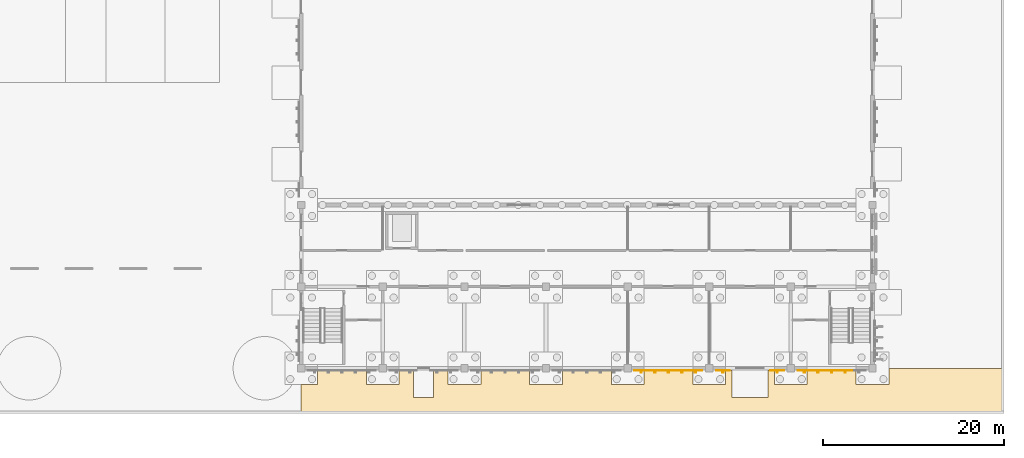
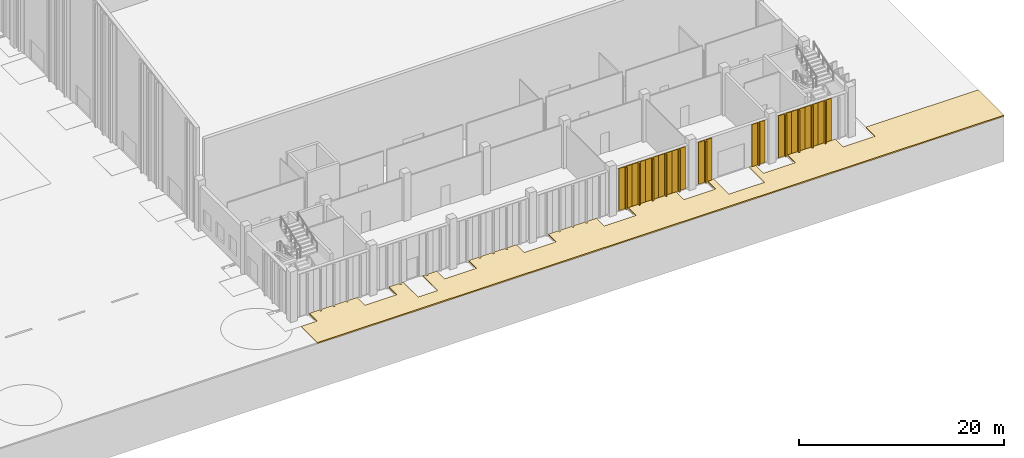
# One storey, part 179 of 198: 12 coverings.
"""IFC4 building model written with IfcOpenShell, lengths in metres."""

from ifc_helpers import new_model, si_unit, direction, frame, origin, place, context, subcontext, project, spatial, polyline, outline, extrude, material, layer, layer_set, type_object, element, save


model = new_model("IFC4")

# Units and contexts
model_context = context("Model", 3, precision=1e-05, world=origin(), true_north=direction((0.0, 1.0)))
body_context = subcontext(model_context, "Body", "Model", "MODEL_VIEW")
ifc_project = project(units=[si_unit("LENGTHUNIT", "METRE"), si_unit("AREAUNIT", "SQUARE_METRE"), si_unit("VOLUMEUNIT", "CUBIC_METRE"), si_unit("PLANEANGLEUNIT", "RADIAN"), si_unit("MASSUNIT", "GRAM", prefix="KILO")], contexts=[model_context])

# Site, building, storey
site_placement = place(None, origin())
site = spatial("IfcSite", under=ifc_project, at=site_placement, CompositionType="ELEMENT")
building_placement = place(site_placement, origin())
building = spatial("IfcBuilding", under=site, at=building_placement, Name="Opaline Strait Convention Centre", CompositionType="ELEMENT")
storey_placement = place(building_placement, origin())
storey = spatial("IfcBuildingStorey", under=building, at=storey_placement, Name="L00", CompositionType="ELEMENT", Elevation=0.0)

# Coverings
ifc_material_1 = material(Name="Concrete C40 precast white", Category="concrete")
ifc_layer_1 = layer(ifc_material_1, 0.300048828125)
ifc_layer_set_1 = layer_set([ifc_layer_1], Name="Concrete C40 precast white")
covering_type_1 = type_object("IfcCoveringType", Name="Ribbed precast panel white 1500", PredefinedType="CLADDING", material=ifc_layer_set_1)
covering_1_placement = place(storey_placement, origin())
element("IfcCovering", 1, at=covering_1_placement, inside=storey, type_object=covering_type_1, Name="Ribbed panel L00-S4 1", PredefinedType="CLADDING", context=body_context, shape_type="SweptSolid", body=[
    extrude(outline(polyline([(324.75, 8.800048828125), (326.25, 8.800048828125), (326.25, 8.719970703125), (325.574951171875, 8.719970703125), (325.574951171875, 8.5), (325.425048828125, 8.5), (325.425048828125, 8.719970703125), (324.75, 8.719970703125), (324.75, 8.800048828125)])), origin(), (0.0, 0.0, 1.0), 5.02001953125),
])
covering_2_placement = place(storey_placement, origin())
element("IfcCovering", 2, at=covering_2_placement, inside=storey, type_object=covering_type_1, Name="Ribbed panel L00-S4 2", PredefinedType="CLADDING", context=body_context, shape_type="SweptSolid", body=[
    extrude(outline(polyline([(326.25, 8.800048828125), (327.75, 8.800048828125), (327.75, 8.719970703125), (327.074951171875, 8.719970703125), (327.074951171875, 8.5), (326.925048828125, 8.5), (326.925048828125, 8.719970703125), (326.25, 8.719970703125), (326.25, 8.800048828125)])), origin(), (0.0, 0.0, 1.0), 5.02001953125),
])
covering_3_placement = place(storey_placement, origin())
element("IfcCovering", 3, at=covering_3_placement, inside=storey, type_object=covering_type_1, Name="Ribbed panel L00-S4 3", PredefinedType="CLADDING", context=body_context, shape_type="SweptSolid", body=[
    extrude(outline(polyline([(327.75, 8.800048828125), (329.25, 8.800048828125), (329.25, 8.719970703125), (328.574951171875, 8.719970703125), (328.574951171875, 8.5), (328.425048828125, 8.5), (328.425048828125, 8.719970703125), (327.75, 8.719970703125), (327.75, 8.800048828125)])), origin(), (0.0, 0.0, 1.0), 5.02001953125),
])
covering_4_placement = place(storey_placement, origin())
element("IfcCovering", 4, at=covering_4_placement, inside=storey, type_object=covering_type_1, Name="Ribbed panel L00-S4 4", PredefinedType="CLADDING", context=body_context, shape_type="SweptSolid", body=[
    extrude(outline(polyline([(329.25, 8.800048828125), (330.75, 8.800048828125), (330.75, 8.719970703125), (330.074951171875, 8.719970703125), (330.074951171875, 8.5), (329.925048828125, 8.5), (329.925048828125, 8.719970703125), (329.25, 8.719970703125), (329.25, 8.800048828125)])), origin(), (0.0, 0.0, 1.0), 5.02001953125),
])
covering_5_placement = place(storey_placement, origin())
element("IfcCovering", 5, at=covering_5_placement, inside=storey, type_object=covering_type_1, Name="Ribbed panel L00-S4 5", PredefinedType="CLADDING", context=body_context, shape_type="SweptSolid", body=[
    extrude(outline(polyline([(330.75, 8.800048828125), (332.25, 8.800048828125), (332.25, 8.719970703125), (331.574951171875, 8.719970703125), (331.574951171875, 8.5), (331.425048828125, 8.5), (331.425048828125, 8.719970703125), (330.75, 8.719970703125), (330.75, 8.800048828125)])), origin(), (0.0, 0.0, 1.0), 5.02001953125),
])
covering_6_placement = place(storey_placement, origin())
element("IfcCovering", 6, at=covering_6_placement, inside=storey, type_object=covering_type_1, Name="Ribbed panel L00-S5 1", PredefinedType="CLADDING", context=body_context, shape_type="SweptSolid", body=[
    extrude(outline(polyline([(333.75, 8.800048828125), (335.25, 8.800048828125), (335.25, 8.719970703125), (334.574951171875, 8.719970703125), (334.574951171875, 8.5), (334.425048828125, 8.5), (334.425048828125, 8.719970703125), (333.75, 8.719970703125), (333.75, 8.800048828125)])), origin(), (0.0, 0.0, 1.0), 5.02001953125),
])
covering_7_placement = place(storey_placement, origin())
element("IfcCovering", 7, at=covering_7_placement, inside=storey, type_object=covering_type_1, Name="Ribbed panel L00-S5 5", PredefinedType="CLADDING", context=body_context, shape_type="SweptSolid", body=[
    extrude(outline(polyline([(339.75, 8.800048828125), (341.25, 8.800048828125), (341.25, 8.719970703125), (340.574951171875, 8.719970703125), (340.574951171875, 8.5), (340.425048828125, 8.5), (340.425048828125, 8.719970703125), (339.75, 8.719970703125), (339.75, 8.800048828125)])), origin(), (0.0, 0.0, 1.0), 5.02001953125),
])
covering_8_placement = place(storey_placement, origin())
element("IfcCovering", 8, at=covering_8_placement, inside=storey, type_object=covering_type_1, Name="Ribbed panel L00-S6 1", PredefinedType="CLADDING", context=body_context, shape_type="SweptSolid", body=[
    extrude(outline(polyline([(342.75, 8.800048828125), (344.25, 8.800048828125), (344.25, 8.719970703125), (343.574951171875, 8.719970703125), (343.574951171875, 8.5), (343.425048828125, 8.5), (343.425048828125, 8.719970703125), (342.75, 8.719970703125), (342.75, 8.800048828125)])), origin(), (0.0, 0.0, 1.0), 5.02001953125),
])
covering_9_placement = place(storey_placement, origin())
element("IfcCovering", 9, at=covering_9_placement, inside=storey, type_object=covering_type_1, Name="Ribbed panel L00-S6 2", PredefinedType="CLADDING", context=body_context, shape_type="SweptSolid", body=[
    extrude(outline(polyline([(344.25, 8.800048828125), (345.75, 8.800048828125), (345.75, 8.719970703125), (345.074951171875, 8.719970703125), (345.074951171875, 8.5), (344.925048828125, 8.5), (344.925048828125, 8.719970703125), (344.25, 8.719970703125), (344.25, 8.800048828125)])), origin(), (0.0, 0.0, 1.0), 5.02001953125),
])
covering_10_placement = place(storey_placement, origin())
element("IfcCovering", 10, at=covering_10_placement, inside=storey, type_object=covering_type_1, Name="Ribbed panel L00-S6 3", PredefinedType="CLADDING", context=body_context, shape_type="SweptSolid", body=[
    extrude(outline(polyline([(345.75, 8.800048828125), (347.25, 8.800048828125), (347.25, 8.719970703125), (346.574951171875, 8.719970703125), (346.574951171875, 8.5), (346.425048828125, 8.5), (346.425048828125, 8.719970703125), (345.75, 8.719970703125), (345.75, 8.800048828125)])), origin(), (0.0, 0.0, 1.0), 5.02001953125),
])
covering_11_placement = place(storey_placement, origin())
element("IfcCovering", 11, at=covering_11_placement, inside=storey, type_object=covering_type_1, Name="Ribbed panel L00-S6 4", PredefinedType="CLADDING", context=body_context, shape_type="SweptSolid", body=[
    extrude(outline(polyline([(347.25, 8.800048828125), (348.75, 8.800048828125), (348.75, 8.719970703125), (348.074951171875, 8.719970703125), (348.074951171875, 8.5), (347.925048828125, 8.5), (347.925048828125, 8.719970703125), (347.25, 8.719970703125), (347.25, 8.800048828125)])), origin(), (0.0, 0.0, 1.0), 5.02001953125),
])
ifc_material_2 = material(Name="Concrete C30 exposed aggregate", Category="concrete")
ifc_layer_2 = layer(ifc_material_2, 0.14990234375)
ifc_layer_set_2 = layer_set([ifc_layer_2], Name="Concrete C30 exposed aggregate")
covering_type_2 = type_object("IfcCoveringType", Name="Site paving 150", PredefinedType="FLOORING", material=ifc_layer_set_2)
covering_12_placement = place(storey_placement, frame((0.0, 0.0, -0.14990234375)))
element("IfcCovering", 12, at=covering_12_placement, inside=storey, type_object=covering_type_2, Name="Site paving surfacing", PredefinedType="FLOORING", context=body_context, shape_type="SweptSolid", body=[
    extrude(outline(polyline([(288.0, 7.195068359375), (288.0, 4.0), (365.5, 4.0), (365.5, 9.0), (352.804931640625, 9.0), (352.804931640625, 7.195068359375), (349.195068359375, 7.195068359375), (349.195068359375, 8.715087890625), (348.7548828125, 8.715087890625), (348.7451171875, 8.715087890625), (348.080078125, 8.715087890625), (348.080078125, 8.4951171875), (347.919921875, 8.4951171875), (347.919921875, 8.715087890625), (347.2548828125, 8.715087890625), (347.2451171875, 8.715087890625), (346.580078125, 8.715087890625), (346.580078125, 8.4951171875), (346.419921875, 8.4951171875), (346.419921875, 8.715087890625), (345.7548828125, 8.715087890625), (345.7451171875, 8.715087890625), (345.080078125, 8.715087890625), (345.080078125, 8.4951171875), (344.919921875, 8.4951171875), (344.919921875, 8.715087890625), (344.2548828125, 8.715087890625), (344.2451171875, 8.715087890625), (343.804931640625, 8.715087890625), (343.804931640625, 7.195068359375), (340.195068359375, 7.195068359375), (340.195068359375, 8.715087890625), (339.7451171875, 8.715087890625), (339.7451171875, 8.794921875), (339.5048828125, 8.794921875), (339.5048828125, 5.794921875), (335.4951171875, 5.794921875), (335.4951171875, 8.794921875), (335.2548828125, 8.794921875), (335.2548828125, 8.715087890625), (334.804931640625, 8.715087890625), (334.804931640625, 7.195068359375), (331.195068359375, 7.195068359375), (331.195068359375, 8.715087890625), (330.7548828125, 8.715087890625), (330.7451171875, 8.715087890625), (330.080078125, 8.715087890625), (330.080078125, 8.4951171875), (329.919921875, 8.4951171875), (329.919921875, 8.715087890625), (329.2548828125, 8.715087890625), (329.2451171875, 8.715087890625), (328.580078125, 8.715087890625), (328.580078125, 8.4951171875), (328.419921875, 8.4951171875), (328.419921875, 8.715087890625), (327.7548828125, 8.715087890625), (327.7451171875, 8.715087890625), (327.080078125, 8.715087890625), (327.080078125, 8.4951171875), (326.919921875, 8.4951171875), (326.919921875, 8.715087890625), (326.2548828125, 8.715087890625), (326.2451171875, 8.715087890625), (325.804931640625, 8.715087890625), (325.804931640625, 7.195068359375), (322.195068359375, 7.195068359375), (322.195068359375, 8.715087890625), (321.7548828125, 8.715087890625), (321.7451171875, 8.715087890625), (321.080078125, 8.715087890625), (321.080078125, 8.4951171875), (320.919921875, 8.4951171875), (320.919921875, 8.715087890625), (320.2548828125, 8.715087890625), (320.2451171875, 8.715087890625), (319.580078125, 8.715087890625), (319.580078125, 8.4951171875), (319.419921875, 8.4951171875), (319.419921875, 8.715087890625), (318.7548828125, 8.715087890625), (318.7451171875, 8.715087890625), (318.080078125, 8.715087890625), (318.080078125, 8.4951171875), (317.919921875, 8.4951171875), (317.919921875, 8.715087890625), (317.2548828125, 8.715087890625), (317.2451171875, 8.715087890625), (316.804931640625, 8.715087890625), (316.804931640625, 7.195068359375), (313.195068359375, 7.195068359375), (313.195068359375, 8.715087890625), (312.7548828125, 8.715087890625), (312.7451171875, 8.715087890625), (312.080078125, 8.715087890625), (312.080078125, 8.4951171875), (311.919921875, 8.4951171875), (311.919921875, 8.715087890625), (311.2548828125, 8.715087890625), (311.2451171875, 8.715087890625), (310.580078125, 8.715087890625), (310.580078125, 8.4951171875), (310.419921875, 8.4951171875), (310.419921875, 8.715087890625), (309.7548828125, 8.715087890625), (309.7451171875, 8.715087890625), (309.080078125, 8.715087890625), (309.080078125, 8.4951171875), (308.919921875, 8.4951171875), (308.919921875, 8.715087890625), (308.2548828125, 8.715087890625), (308.2451171875, 8.715087890625), (307.804931640625, 8.715087890625), (307.804931640625, 7.195068359375), (304.195068359375, 7.195068359375), (304.195068359375, 8.715087890625), (303.7548828125, 8.715087890625), (303.7451171875, 8.715087890625), (303.080078125, 8.715087890625), (303.080078125, 8.4951171875), (302.919921875, 8.4951171875), (302.919921875, 8.715087890625), (302.60498046875, 8.715087890625), (302.60498046875, 5.794921875), (300.39501953125, 5.794921875), (300.39501953125, 8.715087890625), (300.080078125, 8.715087890625), (300.080078125, 8.4951171875), (299.919921875, 8.4951171875), (299.919921875, 8.715087890625), (299.2548828125, 8.715087890625), (299.2451171875, 8.715087890625), (298.804931640625, 8.715087890625), (298.804931640625, 7.195068359375), (295.195068359375, 7.195068359375), (295.195068359375, 8.715087890625), (294.7548828125, 8.715087890625), (294.7451171875, 8.715087890625), (294.080078125, 8.715087890625), (294.080078125, 8.4951171875), (293.919921875, 8.4951171875), (293.919921875, 8.715087890625), (293.2548828125, 8.715087890625), (293.2451171875, 8.715087890625), (292.580078125, 8.715087890625), (292.580078125, 8.4951171875), (292.419921875, 8.4951171875), (292.419921875, 8.715087890625), (291.7548828125, 8.715087890625), (291.7451171875, 8.715087890625), (291.080078125, 8.715087890625), (291.080078125, 8.4951171875), (290.919921875, 8.4951171875), (290.919921875, 8.715087890625), (290.2548828125, 8.715087890625), (290.2451171875, 8.715087890625), (289.804931640625, 8.715087890625), (289.804931640625, 7.195068359375), (288.0, 7.195068359375)])), origin(), (0.0, 0.0, 1.0), 0.14990234375),
])

save(model, "model.ifc")
